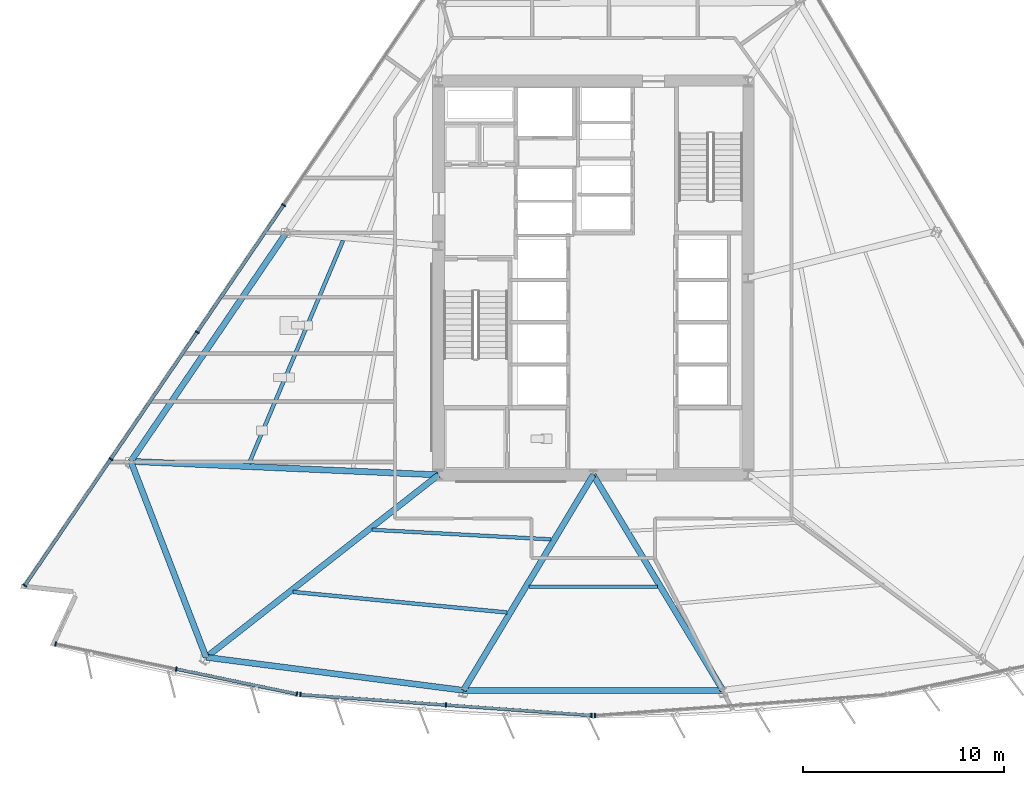
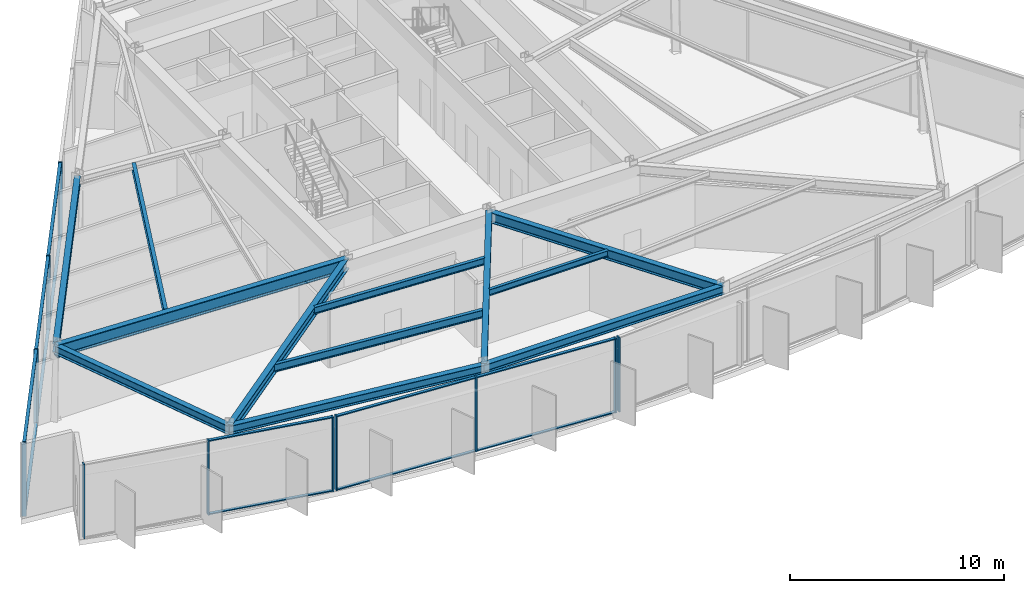
# One storey, part 2 of 14: 23 members, 12 beams, 4 elements without a shape of their own.
"""IFC4 building model written with IfcOpenShell, lengths in metres."""

from ifc_helpers import new_model, si_unit, direction, frame, origin, origin_2d, place, context, subcontext, project, spatial, rectangle, i_section, extrude, material, material_profile, profile_set, type_object, element, aggregate, save


model = new_model("IFC4")

# Units and contexts
model_context = context("Model", 3, precision=1e-05, world=origin(), true_north=direction((0.0, 1.0)))
body_context = subcontext(model_context, "Body", "Model", "MODEL_VIEW")
ifc_project = project(units=[si_unit("LENGTHUNIT", "METRE"), si_unit("AREAUNIT", "SQUARE_METRE"), si_unit("VOLUMEUNIT", "CUBIC_METRE"), si_unit("PLANEANGLEUNIT", "RADIAN"), si_unit("MASSUNIT", "GRAM", prefix="KILO")], contexts=[model_context])

# Site, building, storey
site_placement = place(None, origin())
site = spatial("IfcSite", under=ifc_project, at=site_placement, CompositionType="ELEMENT")
building_placement = place(site_placement, origin())
building = spatial("IfcBuilding", under=site, at=building_placement, Name="Savorim Split Tower", CompositionType="ELEMENT")
storey_placement = place(building_placement, frame((0.0, 0.0, 78.0)))
storey = spatial("IfcBuildingStorey", under=building, at=storey_placement, Name="L20", CompositionType="ELEMENT", Elevation=78.0)

# Beams
ifc_material_1 = material(Name="Steel S355", Category="steel")
ifc_material_profile_1 = material_profile(ifc_material_1, i_section(OverallWidth=0.169921875, OverallDepth=0.360107421875, WebThickness=0.008056640625, FlangeThickness=0.0126953125, FilletRadius=0.01806640625, at=origin_2d()), Name="IPE 360")
ifc_profile_set_1 = profile_set([ifc_material_profile_1], Name="Steel S355")
beam_type_1 = type_object("IfcBeamType", Name="BM-JST-IPE360", PredefinedType="JOIST", material=ifc_profile_set_1)
beam_1_placement = place(storey_placement, frame((-3.1982421875, -14.97705078125, 4.070068359375), z_axis=(1.0, 0.0, 0.0), x_axis=(0.0, 1.0, 0.0)))
element("IfcBeam", 1, at=beam_1_placement, inside=storey, type_object=beam_type_1, Name="L20 Secondary Floor Joist JS-03", PredefinedType="JOIST", context=body_context, shape_type="SweptSolid", body=[
    extrude(i_section(OverallWidth=0.169921875, OverallDepth=0.360107421875, WebThickness=0.008056640625, FlangeThickness=0.0126953125, FilletRadius=0.01806640625, at=origin_2d()), origin(), (0.0, 0.0, 1.0), 6.396484375),
])
ifc_material_profile_2 = material_profile(ifc_material_1, i_section(OverallWidth=0.179931640625, OverallDepth=0.39990234375, WebThickness=0.008544921875, FlangeThickness=0.013427734375, FilletRadius=0.02099609375, at=origin_2d()), Name="IPE 400")
ifc_profile_set_2 = profile_set([ifc_material_profile_2], Name="Steel S355")
beam_type_2 = type_object("IfcBeamType", Name="BM-JST-IPE400", PredefinedType="JOIST", material=ifc_profile_set_2)
beam_2_placement = place(storey_placement, frame((-11.010986328125, -12.132568359375, 4.050048828125), z_axis=(0.99857527194, -0.053361280623, 0.0), x_axis=(0.053361280623, 0.99857527194, 0.0)))
element("IfcBeam", 2, at=beam_2_placement, inside=storey, type_object=beam_type_2, Name="L20 Secondary Floor Joist JS-02", PredefinedType="JOIST", context=body_context, shape_type="SweptSolid", body=[
    extrude(i_section(OverallWidth=0.179931640625, OverallDepth=0.39990234375, WebThickness=0.008544921875, FlangeThickness=0.013427734375, FilletRadius=0.02099609375, at=origin_2d()), origin(), (0.0, 0.0, 1.0), 8.92626953125),
])
ifc_material_profile_3 = material_profile(ifc_material_1, i_section(OverallWidth=0.18994140625, OverallDepth=0.449951171875, WebThickness=0.009521484375, FlangeThickness=0.0146484375, FilletRadius=0.02099609375, at=origin_2d()), Name="IPE 450")
ifc_profile_set_3 = profile_set([ifc_material_profile_3], Name="Steel S355")
beam_type_3 = type_object("IfcBeamType", Name="BM-JST-IPE450", PredefinedType="JOIST", material=ifc_profile_set_3)
beam_3_placement = place(storey_placement, frame((-14.945068359375, -15.2265625, 4.02490234375), z_axis=(0.995427443792, -0.095520700093, 0.0), x_axis=(0.095520700093, 0.995427443792, 0.0)))
element("IfcBeam", 3, at=beam_3_placement, inside=storey, type_object=beam_type_3, Name="L20 Secondary Floor Joist JS-01", PredefinedType="JOIST", context=body_context, shape_type="SweptSolid", body=[
    extrude(i_section(OverallWidth=0.18994140625, OverallDepth=0.449951171875, WebThickness=0.009521484375, FlangeThickness=0.0146484375, FilletRadius=0.02099609375, at=origin_2d()), origin(), (0.0, 0.0, 1.0), 10.701416015625),
])
beam_4_placement = place(storey_placement, frame((-12.45458984375, 2.267578125, 4.02490234375), z_axis=(-0.388566926619, -0.921420503103, 0.0), x_axis=(0.921420503103, -0.388566926619, 0.0)))
element("IfcBeam", 4, at=beam_4_placement, inside=storey, type_object=beam_type_3, Name="L20 Secondary Floor Joist JS-10", PredefinedType="JOIST", context=body_context, shape_type="SweptSolid", body=[
    extrude(i_section(OverallWidth=0.18994140625, OverallDepth=0.449951171875, WebThickness=0.009521484375, FlangeThickness=0.0146484375, FilletRadius=0.02099609375, at=origin_2d()), origin(), (0.0, 0.0, 1.0), 12.049072265625),
])
ifc_material_profile_4 = material_profile(ifc_material_1, i_section(OverallWidth=0.300048828125, OverallDepth=0.60009765625, WebThickness=0.015380859375, FlangeThickness=0.030029296875, FilletRadius=0.027099609375, at=origin_2d()), Name="HEB 600")
ifc_profile_set_4 = profile_set([ifc_material_profile_4], Name="Steel S355")
beam_type_4 = type_object("IfcBeamType", Name="BM-PRI-HEB600", PredefinedType="BEAM", material=ifc_profile_set_4)
beam_5_placement = place(storey_placement, frame((-19.269287109375, -18.480224609375, 3.949951171875), z_axis=(0.786644261054, 0.617406516447, 0.0), x_axis=(-0.617406516447, 0.786644261054, 0.0)))
element("IfcBeam", 5, at=beam_5_placement, inside=storey, type_object=beam_type_4, Name="L20 Primary Floor Girder RG-01", PredefinedType="BEAM", context=body_context, shape_type="SweptSolid", body=[
    extrude(i_section(OverallWidth=0.300048828125, OverallDepth=0.60009765625, WebThickness=0.015380859375, FlangeThickness=0.030029296875, FilletRadius=0.027099609375, at=origin_2d()), origin(), (0.0, 0.0, 1.0), 14.707275390625),
])
for number, where, z_axis, x_axis, name in (
    (6, (-6.458251953125, -20.125, 3.949951171875), (0.515857301445, 0.856674526612, 0.0), (-0.856674526612, 0.515857301445, 0.0), "L20 Primary Floor Girder RG-02"),
    (7, (6.458251953125, -20.125, 3.949951171875), (-0.515857301445, 0.856674526612, 0.0), (-0.856674526612, -0.515857301445, 0.0), "L20 Primary Floor Girder RG-03"),
):
    element("IfcBeam", number, at=place(storey_placement, frame(where, z_axis=z_axis, x_axis=x_axis)), inside=storey, type_object=beam_type_4, Name=name, PredefinedType="BEAM", context=body_context, shape_type="SweptSolid", body=[
        extrude(i_section(OverallWidth=0.300048828125, OverallDepth=0.60009765625, WebThickness=0.015380859375, FlangeThickness=0.030029296875, FilletRadius=0.027099609375, at=origin_2d()), origin(), (0.0, 0.0, 1.0), 12.51953125),
    ])
ifc_material_2 = material(Name="Steel S460", Category="steel")
ifc_material_profile_5 = material_profile(ifc_material_2, i_section(OverallWidth=0.303955078125, OverallDepth=0.716064453125, WebThickness=0.02099609375, FlangeThickness=0.0400390625, FilletRadius=0.027099609375, at=origin_2d()), Name="HE 700 M")
ifc_profile_set_5 = profile_set([ifc_material_profile_5], Name="Steel S460")
beam_type_5 = type_object("IfcBeamType", Name="BM-PRI-HEM700", PredefinedType="BEAM", material=ifc_profile_set_5)
beam_6_placement = place(storey_placement, frame((-23.020263671875, -8.725830078125, 3.89208984375), z_axis=(0.999033464796, -0.043956071461, 0.0), x_axis=(0.043956071461, 0.999033464796, 0.0)))
element("IfcBeam", 8, at=beam_6_placement, inside=storey, type_object=beam_type_5, Name="L20 Primary Floor Girder RG-10", PredefinedType="BEAM", context=body_context, shape_type="SweptSolid", body=[
    extrude(i_section(OverallWidth=0.303955078125, OverallDepth=0.716064453125, WebThickness=0.02099609375, FlangeThickness=0.0400390625, FilletRadius=0.027099609375, at=origin_2d()), origin(), (0.0, 0.0, 1.0), 15.335205078125),
])
ifc_material_profile_6 = material_profile(ifc_material_1, i_section(OverallWidth=0.300048828125, OverallDepth=0.489990234375, WebThickness=0.011962890625, FlangeThickness=0.02294921875, FilletRadius=0.027099609375, at=origin_2d()), Name="HEA 500")
ifc_profile_set_6 = profile_set([ifc_material_profile_6], Name="Steel S355")
beam_type_6 = type_object("IfcBeamType", Name="BM-SPN-HEA500", PredefinedType="SPANDREL", material=ifc_profile_set_6)
beam_7_placement = place(storey_placement, frame((-19.269287109375, -18.480224609375, 4.0048828125), z_axis=(0.991858846629, -0.127342170403, 0.0), x_axis=(0.127342170403, 0.991858846629, 0.0)))
element("IfcBeam", 9, at=beam_7_placement, inside=storey, type_object=beam_type_6, Name="L20 Perimeter Spandrel Beam 1", PredefinedType="SPANDREL", context=body_context, shape_type="SweptSolid", body=[
    extrude(i_section(OverallWidth=0.300048828125, OverallDepth=0.489990234375, WebThickness=0.011962890625, FlangeThickness=0.02294921875, FilletRadius=0.027099609375, at=origin_2d()), origin(), (0.0, 0.0, 1.0), 12.916259765625),
])
beam_8_placement = place(storey_placement, frame((-6.458251953125, -20.125, 4.0048828125), z_axis=(1.0, 0.0, 0.0), x_axis=(0.0, 1.0, 0.0)))
element("IfcBeam", 10, at=beam_8_placement, inside=storey, type_object=beam_type_6, Name="L20 Perimeter Spandrel Beam 2", PredefinedType="SPANDREL", context=body_context, shape_type="SweptSolid", body=[
    extrude(i_section(OverallWidth=0.300048828125, OverallDepth=0.489990234375, WebThickness=0.011962890625, FlangeThickness=0.02294921875, FilletRadius=0.027099609375, at=origin_2d()), origin(), (0.0, 0.0, 1.0), 12.91650390625),
])
beam_9_placement = place(storey_placement, frame((-15.2685546875, 2.669189453125, 4.0048828125), z_axis=(-0.562463611312, -0.826822040073, 0.0), x_axis=(0.826822040073, -0.562463611312, 0.0)))
element("IfcBeam", 11, at=beam_9_placement, inside=storey, type_object=beam_type_6, Name="L20 Perimeter Spandrel Beam 9", PredefinedType="SPANDREL", context=body_context, shape_type="SweptSolid", body=[
    extrude(i_section(OverallWidth=0.300048828125, OverallDepth=0.489990234375, WebThickness=0.011962890625, FlangeThickness=0.02294921875, FilletRadius=0.027099609375, at=origin_2d()), origin(), (0.0, 0.0, 1.0), 13.78173828125),
])
beam_10_placement = place(storey_placement, frame((-23.020263671875, -8.725830078125, 4.0048828125), z_axis=(0.358919592125, -0.933368483713, 0.0), x_axis=(0.933368483713, 0.358919592125, 0.0)))
element("IfcBeam", 12, at=beam_10_placement, inside=storey, type_object=beam_type_6, Name="L20 Perimeter Spandrel Beam 10", PredefinedType="SPANDREL", context=body_context, shape_type="SweptSolid", body=[
    extrude(i_section(OverallWidth=0.300048828125, OverallDepth=0.489990234375, WebThickness=0.011962890625, FlangeThickness=0.02294921875, FilletRadius=0.027099609375, at=origin_2d()), origin(), (0.0, 0.0, 1.0), 10.45068359375),
])

# Curtain wall, members
ifc_material_3 = material(Name="Dark Ceramic-Fritted Insulated Glass", Category="glass")
curtain_wall_type = type_object("IfcCurtainWallType", Name="CW-SKY-ATRIUM", PredefinedType="NOTDEFINED", material=ifc_material_3)
curtain_wall_1_placement = place(storey_placement, origin())
curtain_wall_1 = element("IfcCurtainWall", 13, at=curtain_wall_1_placement, inside=storey, type_object=curtain_wall_type, Name="L20 Curtain Wall CW-L20-SF1", PredefinedType="NOTDEFINED")
ifc_material_4 = material(Name="Charcoal Anodised Aluminium", Category="aluminium")
ifc_material_profile_7 = material_profile(ifc_material_4, rectangle(XDim=0.219970703125, YDim=0.070068359375, at=origin_2d()), Name="ALU-M 220x70")
ifc_profile_set_7 = profile_set([ifc_material_profile_7], Name="Charcoal Anodised Aluminium")
member_type_1 = type_object("IfcMemberType", Name="CWM-220x70", PredefinedType="MULLION", material=ifc_profile_set_7)
member_1_placement = place(storey_placement, frame((-26.7626953125, -17.817626953125, 0.0), z_axis=(0.0, 0.0, 1.0), x_axis=(0.203210153081, 0.979135145772, 0.0)))
member_1 = element("IfcMember", 14, at=member_1_placement, type_object=member_type_1, Name="CW-05 mullion 1", PredefinedType="MULLION", context=body_context, shape_type="SweptSolid", body=[
    extrude(rectangle(XDim=0.219970703125, YDim=0.070068359375, at=origin_2d()), origin(), (0.0, 0.0, 1.0), 4.25),
])
member_2_placement = place(storey_placement, frame((-20.75634765625, -19.064208984375, 0.0), z_axis=(0.0, 0.0, 1.0), x_axis=(0.203210153081, 0.979135145772, 0.0)))
member_2 = element("IfcMember", 15, at=member_2_placement, type_object=member_type_1, Name="CW-05 mullion 2", PredefinedType="MULLION", context=body_context, shape_type="SweptSolid", body=[
    extrude(rectangle(XDim=0.219970703125, YDim=0.070068359375, at=origin_2d()), origin(), (0.0, 0.0, 1.0), 4.25),
])
member_3_placement = place(storey_placement, frame((-14.749755859375, -20.310791015625, 0.0), z_axis=(0.0, 0.0, 1.0), x_axis=(0.203210153081, 0.979135145772, 0.0)))
member_3 = element("IfcMember", 16, at=member_3_placement, type_object=member_type_1, Name="CW-05 mullion 3", PredefinedType="MULLION", context=body_context, shape_type="SweptSolid", body=[
    extrude(rectangle(XDim=0.219970703125, YDim=0.070068359375, at=origin_2d()), origin(), (0.0, 0.0, 1.0), 4.25),
])

curtain_wall_2_placement = place(storey_placement, origin())
curtain_wall_2 = element("IfcCurtainWall", 17, at=curtain_wall_2_placement, inside=storey, type_object=curtain_wall_type, Name="L20 Curtain Wall CW-L20-SF2", PredefinedType="NOTDEFINED")
member_4_placement = place(storey_placement, frame((-14.577880859375, -20.334716796875, 0.0), z_axis=(0.0, 0.0, 1.0), x_axis=(0.071560540796, 0.997436258114, 0.0)))
member_4 = element("IfcMember", 18, at=member_4_placement, type_object=member_type_1, Name="CW-05 mullion 1", PredefinedType="MULLION", context=body_context, shape_type="SweptSolid", body=[
    extrude(rectangle(XDim=0.219970703125, YDim=0.070068359375, at=origin_2d()), origin(), (0.0, 0.0, 1.0), 4.25),
])
member_5_placement = place(storey_placement, frame((-7.33203125, -20.8544921875, 0.0), z_axis=(0.0, 0.0, 1.0), x_axis=(0.071560540796, 0.997436258114, 0.0)))
member_5 = element("IfcMember", 19, at=member_5_placement, type_object=member_type_1, Name="CW-05 mullion 2", PredefinedType="MULLION", context=body_context, shape_type="SweptSolid", body=[
    extrude(rectangle(XDim=0.219970703125, YDim=0.070068359375, at=origin_2d()), origin(), (0.0, 0.0, 1.0), 4.25),
])
member_6_placement = place(storey_placement, frame((-0.086181640625, -21.374267578125, 0.0), z_axis=(0.0, 0.0, 1.0), x_axis=(0.071560540796, 0.997436258114, 0.0)))
member_6 = element("IfcMember", 20, at=member_6_placement, type_object=member_type_1, Name="CW-05 mullion 3", PredefinedType="MULLION", context=body_context, shape_type="SweptSolid", body=[
    extrude(rectangle(XDim=0.219970703125, YDim=0.070068359375, at=origin_2d()), origin(), (0.0, 0.0, 1.0), 4.25),
])

# Curtain wall, member
curtain_wall_3_placement = place(storey_placement, origin())
curtain_wall_3 = element("IfcCurtainWall", 21, at=curtain_wall_3_placement, inside=storey, type_object=curtain_wall_type, Name="L20 Curtain Wall CW-L20-SF3", PredefinedType="NOTDEFINED")
member_7_placement = place(storey_placement, frame((0.086181640625, -21.374267578125, 0.0), z_axis=(0.0, 0.0, 1.0), x_axis=(-0.071560540796, 0.997436258114, 0.0)))
member_7 = element("IfcMember", 22, at=member_7_placement, type_object=member_type_1, Name="CW-05 mullion 1", PredefinedType="MULLION", context=body_context, shape_type="SweptSolid", body=[
    extrude(rectangle(XDim=0.219970703125, YDim=0.070068359375, at=origin_2d()), origin(), (0.0, 0.0, 1.0), 4.25),
])
aggregate(curtain_wall_3, [member_7])

# Curtain wall, members
curtain_wall_4_placement = place(storey_placement, origin())
curtain_wall_4 = element("IfcCurtainWall", 23, at=curtain_wall_4_placement, inside=storey, type_object=curtain_wall_type, Name="L20 Curtain Wall CW-L20-WEST", PredefinedType="NOTDEFINED")
member_8_placement = place(storey_placement, frame((-15.41064453125, 4.03173828125, 0.0), z_axis=(0.0, 0.0, 1.0), x_axis=(0.826819906685, -0.562466747381, 0.0)))
member_8 = element("IfcMember", 24, at=member_8_placement, type_object=member_type_1, Name="CW-05 mullion 4", PredefinedType="MULLION", context=body_context, shape_type="SweptSolid", body=[
    extrude(rectangle(XDim=0.219970703125, YDim=0.070068359375, at=origin_2d()), origin(), (0.0, 0.0, 1.0), 4.25),
])
member_9_placement = place(storey_placement, frame((-19.71142578125, -2.29052734375, 0.0), z_axis=(0.0, 0.0, 1.0), x_axis=(0.826819906685, -0.562466747381, 0.0)))
member_9 = element("IfcMember", 25, at=member_9_placement, type_object=member_type_1, Name="CW-05 mullion 5", PredefinedType="MULLION", context=body_context, shape_type="SweptSolid", body=[
    extrude(rectangle(XDim=0.219970703125, YDim=0.070068359375, at=origin_2d()), origin(), (0.0, 0.0, 1.0), 4.25),
])
member_10_placement = place(storey_placement, frame((-24.012451171875, -8.61279296875, 0.0), z_axis=(0.0, 0.0, 1.0), x_axis=(0.826819906685, -0.562466747381, 0.0)))
member_10 = element("IfcMember", 26, at=member_10_placement, type_object=member_type_1, Name="CW-05 mullion 6", PredefinedType="MULLION", context=body_context, shape_type="SweptSolid", body=[
    extrude(rectangle(XDim=0.219970703125, YDim=0.070068359375, at=origin_2d()), origin(), (0.0, 0.0, 1.0), 4.25),
])
member_11_placement = place(storey_placement, frame((-28.293701171875, -14.90625, 0.0), z_axis=(0.0, 0.0, 1.0), x_axis=(0.826819906685, -0.562466747381, 0.0)))
member_11 = element("IfcMember", 27, at=member_11_placement, type_object=member_type_1, Name="CW-05 mullion 7", PredefinedType="MULLION", context=body_context, shape_type="SweptSolid", body=[
    extrude(rectangle(XDim=0.219970703125, YDim=0.070068359375, at=origin_2d()), origin(), (0.0, 0.0, 1.0), 4.25),
])

# Member
ifc_material_profile_8 = material_profile(ifc_material_4, rectangle(XDim=0.159912109375, YDim=0.06005859375, at=origin_2d()), Name="ALU-T 160x60")
ifc_profile_set_8 = profile_set([ifc_material_profile_8], Name="Charcoal Anodised Aluminium")
member_type_2 = type_object("IfcMemberType", Name="CWT-160x60", PredefinedType="USERDEFINED", material=ifc_profile_set_8)
member_12_placement = place(storey_placement, frame((-20.721923828125, -19.0712890625, 0.030029296875), z_axis=(0.979141544758, -0.203179318164, 0.0), x_axis=(0.203179318164, 0.979141544758, 0.0)))
member_12 = element("IfcMember", 28, at=member_12_placement, type_object=member_type_2, Name="CW-05 transom 2.1", ObjectType="TRANSOM", PredefinedType="USERDEFINED", context=body_context, shape_type="SweptSolid", body=[
    extrude(rectangle(XDim=0.159912109375, YDim=0.06005859375, at=origin_2d()), origin(), (0.0, 0.0, 1.0), 6.064453125),
])

member_13_placement = place(storey_placement, frame((-20.721923828125, -19.0712890625, 4.219970703125), z_axis=(0.979141544758, -0.203179318164, 0.0), x_axis=(0.203179318164, 0.979141544758, 0.0)))
member_13 = element("IfcMember", 29, at=member_13_placement, type_object=member_type_2, Name="CW-05 transom 2.2", ObjectType="TRANSOM", PredefinedType="USERDEFINED", context=body_context, shape_type="SweptSolid", body=[
    extrude(rectangle(XDim=0.159912109375, YDim=0.06005859375, at=origin_2d()), origin(), (0.0, 0.0, 1.0), 6.064453125),
])

aggregate(curtain_wall_1, [member_1, member_2, member_3, member_12, member_13])

member_14_placement = place(storey_placement, frame((-14.54296875, -20.337158203125, 0.030029296875), z_axis=(0.997435738192, -0.071567787291, 0.0), x_axis=(0.071567787291, 0.997435738192, 0.0)))
member_14 = element("IfcMember", 30, at=member_14_placement, type_object=member_type_2, Name="CW-05 transom 1.1", ObjectType="TRANSOM", PredefinedType="USERDEFINED", context=body_context, shape_type="SweptSolid", body=[
    extrude(rectangle(XDim=0.159912109375, YDim=0.06005859375, at=origin_2d()), origin(), (0.0, 0.0, 1.0), 7.194580078125),
])

member_15_placement = place(storey_placement, frame((-14.54296875, -20.337158203125, 4.219970703125), z_axis=(0.997435738192, -0.071567787291, 0.0), x_axis=(0.071567787291, 0.997435738192, 0.0)))
member_15 = element("IfcMember", 31, at=member_15_placement, type_object=member_type_2, Name="CW-05 transom 1.2", ObjectType="TRANSOM", PredefinedType="USERDEFINED", context=body_context, shape_type="SweptSolid", body=[
    extrude(rectangle(XDim=0.159912109375, YDim=0.06005859375, at=origin_2d()), origin(), (0.0, 0.0, 1.0), 7.194580078125),
])

member_16_placement = place(storey_placement, frame((-7.297119140625, -20.85693359375, 0.030029296875), z_axis=(0.997435738192, -0.071567787291, 0.0), x_axis=(0.071567787291, 0.997435738192, 0.0)))
member_16 = element("IfcMember", 32, at=member_16_placement, type_object=member_type_2, Name="CW-05 transom 2.1", ObjectType="TRANSOM", PredefinedType="USERDEFINED", context=body_context, shape_type="SweptSolid", body=[
    extrude(rectangle(XDim=0.159912109375, YDim=0.06005859375, at=origin_2d()), origin(), (0.0, 0.0, 1.0), 7.194580078125),
])

member_17_placement = place(storey_placement, frame((-7.297119140625, -20.85693359375, 4.219970703125), z_axis=(0.997435738192, -0.071567787291, 0.0), x_axis=(0.071567787291, 0.997435738192, 0.0)))
member_17 = element("IfcMember", 33, at=member_17_placement, type_object=member_type_2, Name="CW-05 transom 2.2", ObjectType="TRANSOM", PredefinedType="USERDEFINED", context=body_context, shape_type="SweptSolid", body=[
    extrude(rectangle(XDim=0.159912109375, YDim=0.06005859375, at=origin_2d()), origin(), (0.0, 0.0, 1.0), 7.194580078125),
])

aggregate(curtain_wall_2, [member_4, member_5, member_6, member_14, member_15, member_16, member_17])

member_18_placement = place(storey_placement, frame((-15.43017578125, 4.0029296875, 0.030029296875), z_axis=(-0.562483639186, -0.826808415323, 0.0), x_axis=(0.826808415323, -0.562483639186, 0.0)))
member_18 = element("IfcMember", 34, at=member_18_placement, type_object=member_type_2, Name="CW-05 transom 4.1", ObjectType="TRANSOM", PredefinedType="USERDEFINED", context=body_context, shape_type="SweptSolid", body=[
    extrude(rectangle(XDim=0.159912109375, YDim=0.06005859375, at=origin_2d()), origin(), (0.0, 0.0, 1.0), 7.57666015625),
])

member_19_placement = place(storey_placement, frame((-15.43017578125, 4.0029296875, 4.219970703125), z_axis=(-0.562483639186, -0.826808415323, 0.0), x_axis=(0.826808415323, -0.562483639186, 0.0)))
member_19 = element("IfcMember", 35, at=member_19_placement, type_object=member_type_2, Name="CW-05 transom 4.2", ObjectType="TRANSOM", PredefinedType="USERDEFINED", context=body_context, shape_type="SweptSolid", body=[
    extrude(rectangle(XDim=0.159912109375, YDim=0.06005859375, at=origin_2d()), origin(), (0.0, 0.0, 1.0), 7.57666015625),
])

member_20_placement = place(storey_placement, frame((-19.731201171875, -2.3193359375, 0.030029296875), z_axis=(-0.562461610594, -0.826823401101, 0.0), x_axis=(0.826823401101, -0.562461610594, 0.0)))
member_20 = element("IfcMember", 36, at=member_20_placement, type_object=member_type_2, Name="CW-05 transom 5.1", ObjectType="TRANSOM", PredefinedType="USERDEFINED", context=body_context, shape_type="SweptSolid", body=[
    extrude(rectangle(XDim=0.159912109375, YDim=0.06005859375, at=origin_2d()), origin(), (0.0, 0.0, 1.0), 7.576416015625),
])

member_21_placement = place(storey_placement, frame((-19.731201171875, -2.3193359375, 4.219970703125), z_axis=(-0.562461610594, -0.826823401101, 0.0), x_axis=(0.826823401101, -0.562461610594, 0.0)))
member_21 = element("IfcMember", 37, at=member_21_placement, type_object=member_type_2, Name="CW-05 transom 5.2", ObjectType="TRANSOM", PredefinedType="USERDEFINED", context=body_context, shape_type="SweptSolid", body=[
    extrude(rectangle(XDim=0.159912109375, YDim=0.06005859375, at=origin_2d()), origin(), (0.0, 0.0, 1.0), 7.576416015625),
])

member_22_placement = place(storey_placement, frame((-24.031982421875, -8.641845703125, 0.030029296875), z_axis=(-0.562482677508, -0.826809069558, 0.0), x_axis=(0.826809069558, -0.562482677508, 0.0)))
member_22 = element("IfcMember", 38, at=member_22_placement, type_object=member_type_2, Name="CW-05 transom 6.1", ObjectType="TRANSOM", PredefinedType="USERDEFINED", context=body_context, shape_type="SweptSolid", body=[
    extrude(rectangle(XDim=0.159912109375, YDim=0.06005859375, at=origin_2d()), origin(), (0.0, 0.0, 1.0), 7.54150390625),
])

member_23_placement = place(storey_placement, frame((-24.031982421875, -8.641845703125, 4.219970703125), z_axis=(-0.562482677508, -0.826809069558, 0.0), x_axis=(0.826809069558, -0.562482677508, 0.0)))
member_23 = element("IfcMember", 39, at=member_23_placement, type_object=member_type_2, Name="CW-05 transom 6.2", ObjectType="TRANSOM", PredefinedType="USERDEFINED", context=body_context, shape_type="SweptSolid", body=[
    extrude(rectangle(XDim=0.159912109375, YDim=0.06005859375, at=origin_2d()), origin(), (0.0, 0.0, 1.0), 7.54150390625),
])

aggregate(curtain_wall_4, [member_8, member_9, member_10, member_11, member_18, member_19, member_20, member_21, member_22, member_23])

save(model, "model.ifc")
